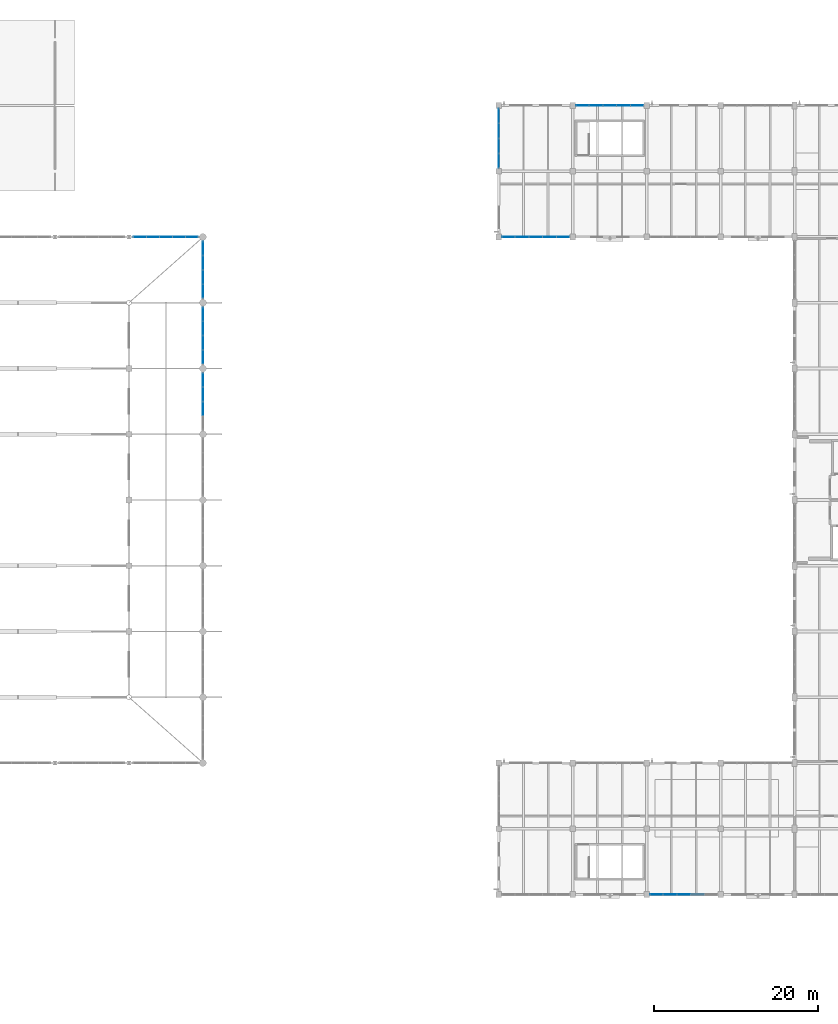
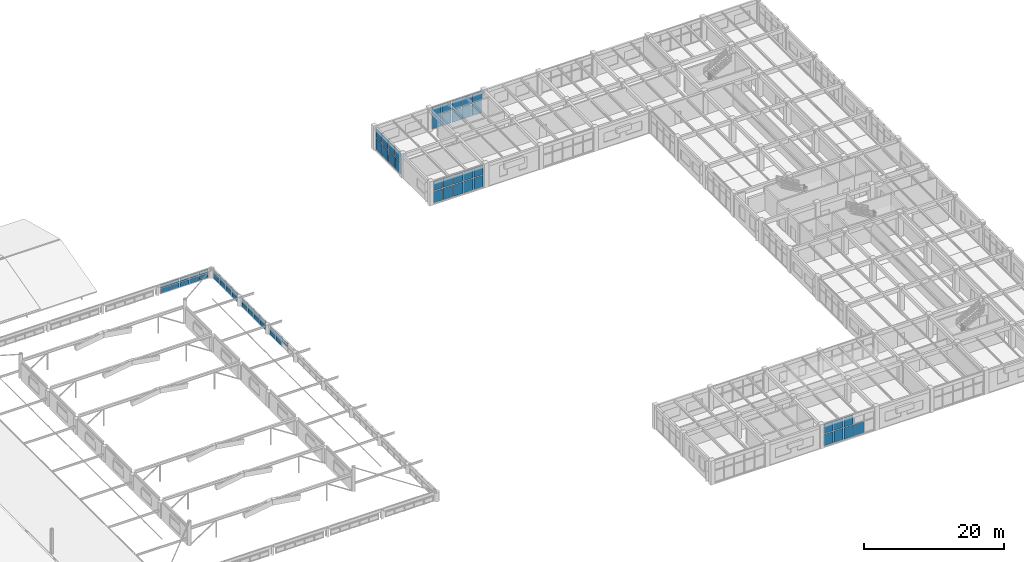
# One storey, part 104 of 128: 66 plates, 8 elements without a shape of their own.
"""IFC4 building model written with IfcOpenShell, lengths in metres."""

from ifc_helpers import new_model, si_unit, derived_unit, direction, frame, origin, origin_2d, place, context, subcontext, project, spatial, rectangle, extrude, material, layer, layer_set, type_object, element, aggregate, save


model = new_model("IFC4")

# Units and contexts
model_context = context("Model", 3, precision=1e-05, world=origin(), true_north=direction((0.0, 1.0)))
body_context = subcontext(model_context, "Body", "Model", "MODEL_VIEW")
ifc_project = project(units=[si_unit("LENGTHUNIT", "METRE"), si_unit("AREAUNIT", "SQUARE_METRE"), si_unit("VOLUMEUNIT", "CUBIC_METRE"), si_unit("PLANEANGLEUNIT", "RADIAN"), si_unit("MASSUNIT", "GRAM", prefix="KILO"), derived_unit("THERMALTRANSMITTANCEUNIT", [(si_unit("MASSUNIT", "GRAM", prefix="KILO"), 1), (si_unit("TIMEUNIT", "SECOND"), -3), (si_unit("THERMODYNAMICTEMPERATUREUNIT", "KELVIN"), -1)])], contexts=[model_context])

# Site, building, storey
site_placement = place(None, origin())
site = spatial("IfcSite", under=ifc_project, at=site_placement, CompositionType="ELEMENT")
building_placement = place(site_placement, origin())
building = spatial("IfcBuilding", under=site, at=building_placement, Name="Zhenchuan Archway Interchange", CompositionType="ELEMENT")
storey_placement = place(building_placement, frame((0.0, 0.0, 14.39990234375)))
storey = spatial("IfcBuildingStorey", under=building, at=storey_placement, Name="L03", CompositionType="ELEMENT", Elevation=14.39990234375)

# Curtain wall, plates
ifc_material_1 = material(Name="Anodised Aluminium", Category="aluminium")
curtain_wall_type_1 = type_object("IfcCurtainWallType", Name="CW_UNIT_2", PredefinedType="NOTDEFINED", material=ifc_material_1)
curtain_wall_1_placement = place(storey_placement, origin())
curtain_wall_1 = element("IfcCurtainWall", 1, at=curtain_wall_1_placement, inside=storey, type_object=curtain_wall_type_1, Name="Unitised curtain wall CW:L03:173", PredefinedType="NOTDEFINED")
ifc_material_2 = material(Name="Double Low-E Insulated Glazing", Category="glass")
ifc_layer_1 = layer(ifc_material_2, 0.028076171875)
ifc_layer_set_1 = layer_set([ifc_layer_1], Name="Double Low-E Insulated Glazing")
plate_type_1 = type_object("IfcPlateType", Name="CW_GLZ_1", PredefinedType="CURTAIN_PANEL", material=ifc_layer_set_1)
plate_1_placement = place(storey_placement, frame((115.835693359375, 88.0, 0.080078125), z_axis=(0.0, 0.0, 1.0), x_axis=(-1.0, 0.0, 0.0)))
plate_1 = element("IfcPlate", 2, at=plate_1_placement, type_object=plate_type_1, Name="CW:L03:173 lower glazing panel 0", PredefinedType="CURTAIN_PANEL", context=body_context, shape_type="SweptSolid", body=[
    extrude(rectangle(XDim=1.5126953125, YDim=0.028076171875, at=origin_2d()), origin(), (0.0, 0.0, 1.0), 2.01611328125),
])
plate_2_placement = place(storey_placement, frame((114.1728515625, 88.0, 0.080078125), z_axis=(0.0, 0.0, 1.0), x_axis=(-1.0, 0.0, 0.0)))
plate_2 = element("IfcPlate", 3, at=plate_2_placement, type_object=plate_type_1, Name="CW:L03:173 lower glazing panel 1", PredefinedType="CURTAIN_PANEL", context=body_context, shape_type="SweptSolid", body=[
    extrude(rectangle(XDim=1.53271484375, YDim=0.028076171875, at=origin_2d()), origin(), (0.0, 0.0, 1.0), 2.01611328125),
])
plate_3_placement = place(storey_placement, frame((112.5, 88.0, 0.080078125), z_axis=(0.0, 0.0, 1.0), x_axis=(-1.0, 0.0, 0.0)))
plate_3 = element("IfcPlate", 4, at=plate_3_placement, type_object=plate_type_1, Name="CW:L03:173 lower glazing panel 2", PredefinedType="CURTAIN_PANEL", context=body_context, shape_type="SweptSolid", body=[
    extrude(rectangle(XDim=1.53271484375, YDim=0.028076171875, at=origin_2d()), origin(), (0.0, 0.0, 1.0), 2.01611328125),
])
plate_4_placement = place(storey_placement, frame((110.8271484375, 88.0, 0.080078125), z_axis=(0.0, 0.0, 1.0), x_axis=(-1.0, 0.0, 0.0)))
plate_4 = element("IfcPlate", 5, at=plate_4_placement, type_object=plate_type_1, Name="CW:L03:173 lower glazing panel 3", PredefinedType="CURTAIN_PANEL", context=body_context, shape_type="SweptSolid", body=[
    extrude(rectangle(XDim=1.53271484375, YDim=0.028076171875, at=origin_2d()), origin(), (0.0, 0.0, 1.0), 2.01611328125),
])
plate_5_placement = place(storey_placement, frame((109.164306640625, 88.0, 0.080078125), z_axis=(0.0, 0.0, 1.0), x_axis=(-1.0, 0.0, 0.0)))
plate_5 = element("IfcPlate", 6, at=plate_5_placement, type_object=plate_type_1, Name="CW:L03:173 lower glazing panel 4", PredefinedType="CURTAIN_PANEL", context=body_context, shape_type="SweptSolid", body=[
    extrude(rectangle(XDim=1.5126953125, YDim=0.028076171875, at=origin_2d()), origin(), (0.0, 0.0, 1.0), 2.01611328125),
])

curtain_wall_type_2 = type_object("IfcCurtainWallType", Name="CW_UNIT_4", PredefinedType="NOTDEFINED", material=ifc_material_1)
curtain_wall_2_placement = place(storey_placement, origin())
curtain_wall_2 = element("IfcCurtainWall", 7, at=curtain_wall_2_placement, inside=storey, type_object=curtain_wall_type_2, Name="Unitised curtain wall CW:L03:175", PredefinedType="NOTDEFINED")
plate_6_placement = place(storey_placement, frame((118.164306640625, 104.0, 0.080078125), z_axis=(0.0, 0.0, 1.0), x_axis=(1.0, 0.0, 0.0)))
plate_6 = element("IfcPlate", 8, at=plate_6_placement, type_object=plate_type_1, Name="CW:L03:175 lower glazing panel 0", PredefinedType="CURTAIN_PANEL", context=body_context, shape_type="SweptSolid", body=[
    extrude(rectangle(XDim=1.5126953125, YDim=0.028076171875, at=origin_2d()), origin(), (0.0, 0.0, 1.0), 2.01611328125),
])
plate_7_placement = place(storey_placement, frame((119.8271484375, 104.0, 0.080078125), z_axis=(0.0, 0.0, 1.0), x_axis=(1.0, 0.0, 0.0)))
plate_7 = element("IfcPlate", 9, at=plate_7_placement, type_object=plate_type_1, Name="CW:L03:175 lower glazing panel 1", PredefinedType="CURTAIN_PANEL", context=body_context, shape_type="SweptSolid", body=[
    extrude(rectangle(XDim=1.53271484375, YDim=0.028076171875, at=origin_2d()), origin(), (0.0, 0.0, 1.0), 2.01611328125),
])
plate_8_placement = place(storey_placement, frame((121.5, 104.0, 0.080078125), z_axis=(0.0, 0.0, 1.0), x_axis=(1.0, 0.0, 0.0)))
plate_8 = element("IfcPlate", 10, at=plate_8_placement, type_object=plate_type_1, Name="CW:L03:175 lower glazing panel 2", PredefinedType="CURTAIN_PANEL", context=body_context, shape_type="SweptSolid", body=[
    extrude(rectangle(XDim=1.53271484375, YDim=0.028076171875, at=origin_2d()), origin(), (0.0, 0.0, 1.0), 2.01611328125),
])
plate_9_placement = place(storey_placement, frame((123.1728515625, 104.0, 0.080078125), z_axis=(0.0, 0.0, 1.0), x_axis=(1.0, 0.0, 0.0)))
plate_9 = element("IfcPlate", 11, at=plate_9_placement, type_object=plate_type_1, Name="CW:L03:175 lower glazing panel 3", PredefinedType="CURTAIN_PANEL", context=body_context, shape_type="SweptSolid", body=[
    extrude(rectangle(XDim=1.53271484375, YDim=0.028076171875, at=origin_2d()), origin(), (0.0, 0.0, 1.0), 2.01611328125),
])
plate_10_placement = place(storey_placement, frame((124.835693359375, 104.0, 0.080078125), z_axis=(0.0, 0.0, 1.0), x_axis=(1.0, 0.0, 0.0)))
plate_10 = element("IfcPlate", 12, at=plate_10_placement, type_object=plate_type_1, Name="CW:L03:175 lower glazing panel 4", PredefinedType="CURTAIN_PANEL", context=body_context, shape_type="SweptSolid", body=[
    extrude(rectangle(XDim=1.5126953125, YDim=0.028076171875, at=origin_2d()), origin(), (0.0, 0.0, 1.0), 2.01611328125),
])

curtain_wall_3_placement = place(storey_placement, origin())
curtain_wall_3 = element("IfcCurtainWall", 13, at=curtain_wall_3_placement, inside=storey, type_object=curtain_wall_type_1, Name="Unitised curtain wall CW:L03:185", PredefinedType="NOTDEFINED")
plate_11_placement = place(storey_placement, frame((132.1728515625, 8.0, 0.080078125), z_axis=(0.0, 0.0, 1.0), x_axis=(-1.0, 0.0, 0.0)))
plate_11 = element("IfcPlate", 14, at=plate_11_placement, type_object=plate_type_1, Name="CW:L03:185 lower glazing panel 1", PredefinedType="CURTAIN_PANEL", context=body_context, shape_type="SweptSolid", body=[
    extrude(rectangle(XDim=1.53271484375, YDim=0.028076171875, at=origin_2d()), origin(), (0.0, 0.0, 1.0), 2.01611328125),
])
plate_12_placement = place(storey_placement, frame((130.5, 8.0, 0.080078125), z_axis=(0.0, 0.0, 1.0), x_axis=(-1.0, 0.0, 0.0)))
plate_12 = element("IfcPlate", 15, at=plate_12_placement, type_object=plate_type_1, Name="CW:L03:185 lower glazing panel 2", PredefinedType="CURTAIN_PANEL", context=body_context, shape_type="SweptSolid", body=[
    extrude(rectangle(XDim=1.53271484375, YDim=0.028076171875, at=origin_2d()), origin(), (0.0, 0.0, 1.0), 2.01611328125),
])
plate_13_placement = place(storey_placement, frame((128.8271484375, 8.0, 0.080078125), z_axis=(0.0, 0.0, 1.0), x_axis=(-1.0, 0.0, 0.0)))
plate_13 = element("IfcPlate", 16, at=plate_13_placement, type_object=plate_type_1, Name="CW:L03:185 lower glazing panel 3", PredefinedType="CURTAIN_PANEL", context=body_context, shape_type="SweptSolid", body=[
    extrude(rectangle(XDim=1.53271484375, YDim=0.028076171875, at=origin_2d()), origin(), (0.0, 0.0, 1.0), 2.01611328125),
])
plate_14_placement = place(storey_placement, frame((127.164306640625, 8.0, 0.080078125), z_axis=(0.0, 0.0, 1.0), x_axis=(-1.0, 0.0, 0.0)))
plate_14 = element("IfcPlate", 17, at=plate_14_placement, type_object=plate_type_1, Name="CW:L03:185 lower glazing panel 4", PredefinedType="CURTAIN_PANEL", context=body_context, shape_type="SweptSolid", body=[
    extrude(rectangle(XDim=1.5126953125, YDim=0.028076171875, at=origin_2d()), origin(), (0.0, 0.0, 1.0), 2.01611328125),
])

# Curtain wall, plate
curtain_wall_type_3 = type_object("IfcCurtainWallType", Name="CW_UNIT_3", PredefinedType="NOTDEFINED", material=ifc_material_1)
curtain_wall_4_placement = place(storey_placement, origin())
curtain_wall_4 = element("IfcCurtainWall", 18, at=curtain_wall_4_placement, inside=storey, type_object=curtain_wall_type_3, Name="Unitised curtain wall CW:L03:RING-E6", PredefinedType="NOTDEFINED")
plate_15_placement = place(storey_placement, frame((72.0, 70.60009765625, 0.10009765625), z_axis=(0.0, 0.0, 1.0), x_axis=(0.0, 1.0, 0.0)))
plate_15 = element("IfcPlate", 19, at=plate_15_placement, type_object=plate_type_1, Name="CW:L03:RING-E6 lower glazing panel 3", PredefinedType="CURTAIN_PANEL", context=body_context, shape_type="SweptSolid", body=[
    extrude(rectangle(XDim=1.580078125, YDim=0.028076171875, at=origin_2d()), origin(), (0.0, 0.0, 1.0), 0.77294921875),
])

# Curtain wall, plates
curtain_wall_5_placement = place(storey_placement, origin())
curtain_wall_5 = element("IfcCurtainWall", 20, at=curtain_wall_5_placement, inside=storey, type_object=curtain_wall_type_3, Name="Unitised curtain wall CW:L03:RING-E7", PredefinedType="NOTDEFINED")
plate_16_placement = place(storey_placement, frame((72.0, 73.39990234375, 0.10009765625), z_axis=(0.0, 0.0, 1.0), x_axis=(0.0, 1.0, 0.0)))
plate_16 = element("IfcPlate", 21, at=plate_16_placement, type_object=plate_type_1, Name="CW:L03:RING-E7 lower glazing panel 0", PredefinedType="CURTAIN_PANEL", context=body_context, shape_type="SweptSolid", body=[
    extrude(rectangle(XDim=1.580078125, YDim=0.028076171875, at=origin_2d()), origin(), (0.0, 0.0, 1.0), 0.77294921875),
])
plate_17_placement = place(storey_placement, frame((72.0, 78.60009765625, 0.10009765625), z_axis=(0.0, 0.0, 1.0), x_axis=(0.0, 1.0, 0.0)))
plate_17 = element("IfcPlate", 22, at=plate_17_placement, type_object=plate_type_1, Name="CW:L03:RING-E7 lower glazing panel 3", PredefinedType="CURTAIN_PANEL", context=body_context, shape_type="SweptSolid", body=[
    extrude(rectangle(XDim=1.580078125, YDim=0.028076171875, at=origin_2d()), origin(), (0.0, 0.0, 1.0), 0.77294921875),
])

curtain_wall_6_placement = place(storey_placement, origin())
curtain_wall_6 = element("IfcCurtainWall", 23, at=curtain_wall_6_placement, inside=storey, type_object=curtain_wall_type_3, Name="Unitised curtain wall CW:L03:RING-E8", PredefinedType="NOTDEFINED")
plate_18_placement = place(storey_placement, frame((72.0, 81.39990234375, 0.10009765625), z_axis=(0.0, 0.0, 1.0), x_axis=(0.0, 1.0, 0.0)))
plate_18 = element("IfcPlate", 24, at=plate_18_placement, type_object=plate_type_1, Name="CW:L03:RING-E8 lower glazing panel 0", PredefinedType="CURTAIN_PANEL", context=body_context, shape_type="SweptSolid", body=[
    extrude(rectangle(XDim=1.580078125, YDim=0.028076171875, at=origin_2d()), origin(), (0.0, 0.0, 1.0), 0.77294921875),
])
plate_19_placement = place(storey_placement, frame((72.0, 86.60009765625, 0.10009765625), z_axis=(0.0, 0.0, 1.0), x_axis=(0.0, 1.0, 0.0)))
plate_19 = element("IfcPlate", 25, at=plate_19_placement, type_object=plate_type_1, Name="CW:L03:RING-E8 lower glazing panel 3", PredefinedType="CURTAIN_PANEL", context=body_context, shape_type="SweptSolid", body=[
    extrude(rectangle(XDim=1.580078125, YDim=0.028076171875, at=origin_2d()), origin(), (0.0, 0.0, 1.0), 0.77294921875),
])

curtain_wall_7_placement = place(storey_placement, origin())
curtain_wall_7 = element("IfcCurtainWall", 26, at=curtain_wall_7_placement, inside=storey, type_object=curtain_wall_type_2, Name="Unitised curtain wall CW:L03:RING-N5", PredefinedType="NOTDEFINED")
plate_20_placement = place(storey_placement, frame((64.325927734375, 88.0, 0.10009765625), z_axis=(0.0, 0.0, 1.0), x_axis=(1.0, 0.0, 0.0)))
plate_20 = element("IfcPlate", 27, at=plate_20_placement, type_object=plate_type_1, Name="CW:L03:RING-N5 lower glazing panel 0", PredefinedType="CURTAIN_PANEL", context=body_context, shape_type="SweptSolid", body=[
    extrude(rectangle(XDim=1.431884765625, YDim=0.028076171875, at=origin_2d()), origin(), (0.0, 0.0, 1.0), 0.77294921875),
])
plate_21_placement = place(storey_placement, frame((65.907958984375, 88.0, 0.10009765625), z_axis=(0.0, 0.0, 1.0), x_axis=(1.0, 0.0, 0.0)))
plate_21 = element("IfcPlate", 28, at=plate_21_placement, type_object=plate_type_1, Name="CW:L03:RING-N5 lower glazing panel 1", PredefinedType="CURTAIN_PANEL", context=body_context, shape_type="SweptSolid", body=[
    extrude(rectangle(XDim=1.451904296875, YDim=0.028076171875, at=origin_2d()), origin(), (0.0, 0.0, 1.0), 0.77294921875),
])
plate_22_placement = place(storey_placement, frame((67.5, 88.0, 0.10009765625), z_axis=(0.0, 0.0, 1.0), x_axis=(1.0, 0.0, 0.0)))
plate_22 = element("IfcPlate", 29, at=plate_22_placement, type_object=plate_type_1, Name="CW:L03:RING-N5 lower glazing panel 2", PredefinedType="CURTAIN_PANEL", context=body_context, shape_type="SweptSolid", body=[
    extrude(rectangle(XDim=1.451904296875, YDim=0.028076171875, at=origin_2d()), origin(), (0.0, 0.0, 1.0), 0.77294921875),
])
plate_23_placement = place(storey_placement, frame((69.092041015625, 88.0, 0.10009765625), z_axis=(0.0, 0.0, 1.0), x_axis=(1.0, 0.0, 0.0)))
plate_23 = element("IfcPlate", 30, at=plate_23_placement, type_object=plate_type_1, Name="CW:L03:RING-N5 lower glazing panel 3", PredefinedType="CURTAIN_PANEL", context=body_context, shape_type="SweptSolid", body=[
    extrude(rectangle(XDim=1.451904296875, YDim=0.028076171875, at=origin_2d()), origin(), (0.0, 0.0, 1.0), 0.77294921875),
])
plate_24_placement = place(storey_placement, frame((70.674072265625, 88.0, 0.10009765625), z_axis=(0.0, 0.0, 1.0), x_axis=(1.0, 0.0, 0.0)))
plate_24 = element("IfcPlate", 31, at=plate_24_placement, type_object=plate_type_1, Name="CW:L03:RING-N5 lower glazing panel 4", PredefinedType="CURTAIN_PANEL", context=body_context, shape_type="SweptSolid", body=[
    extrude(rectangle(XDim=1.431884765625, YDim=0.028076171875, at=origin_2d()), origin(), (0.0, 0.0, 1.0), 0.77294921875),
])

# Plate
ifc_layer_2 = layer(ifc_material_2, 0.02587890625)
ifc_layer_set_2 = layer_set([ifc_layer_2], Name="Double Low-E Insulated Glazing")
plate_type_2 = type_object("IfcPlateType", Name="CW_GLZ_2", PredefinedType="CURTAIN_PANEL", material=ifc_layer_set_2)
plate_25_placement = place(storey_placement, frame((115.835693359375, 88.0, 2.216064453125), z_axis=(0.0, 0.0, 1.0), x_axis=(-1.0, 0.0, 0.0)))
plate_25 = element("IfcPlate", 32, at=plate_25_placement, type_object=plate_type_2, Name="CW:L03:173 upper glazing panel 0", PredefinedType="CURTAIN_PANEL", context=body_context, shape_type="SweptSolid", body=[
    extrude(rectangle(XDim=1.5126953125, YDim=0.02587890625, at=origin_2d()), origin(), (0.0, 0.0, 1.0), 1.6240234375),
])

plate_26_placement = place(storey_placement, frame((114.1728515625, 88.0, 2.216064453125), z_axis=(0.0, 0.0, 1.0), x_axis=(-1.0, 0.0, 0.0)))
plate_26 = element("IfcPlate", 33, at=plate_26_placement, type_object=plate_type_2, Name="CW:L03:173 upper glazing panel 1", PredefinedType="CURTAIN_PANEL", context=body_context, shape_type="SweptSolid", body=[
    extrude(rectangle(XDim=1.53271484375, YDim=0.02587890625, at=origin_2d()), origin(), (0.0, 0.0, 1.0), 1.6240234375),
])

plate_27_placement = place(storey_placement, frame((112.5, 88.0, 2.216064453125), z_axis=(0.0, 0.0, 1.0), x_axis=(-1.0, 0.0, 0.0)))
plate_27 = element("IfcPlate", 34, at=plate_27_placement, type_object=plate_type_2, Name="CW:L03:173 upper glazing panel 2", PredefinedType="CURTAIN_PANEL", context=body_context, shape_type="SweptSolid", body=[
    extrude(rectangle(XDim=1.53271484375, YDim=0.02587890625, at=origin_2d()), origin(), (0.0, 0.0, 1.0), 1.6240234375),
])

plate_28_placement = place(storey_placement, frame((110.8271484375, 88.0, 2.216064453125), z_axis=(0.0, 0.0, 1.0), x_axis=(-1.0, 0.0, 0.0)))
plate_28 = element("IfcPlate", 35, at=plate_28_placement, type_object=plate_type_2, Name="CW:L03:173 upper glazing panel 3", PredefinedType="CURTAIN_PANEL", context=body_context, shape_type="SweptSolid", body=[
    extrude(rectangle(XDim=1.53271484375, YDim=0.02587890625, at=origin_2d()), origin(), (0.0, 0.0, 1.0), 1.6240234375),
])

plate_29_placement = place(storey_placement, frame((109.164306640625, 88.0, 2.216064453125), z_axis=(0.0, 0.0, 1.0), x_axis=(-1.0, 0.0, 0.0)))
plate_29 = element("IfcPlate", 36, at=plate_29_placement, type_object=plate_type_2, Name="CW:L03:173 upper glazing panel 4", PredefinedType="CURTAIN_PANEL", context=body_context, shape_type="SweptSolid", body=[
    extrude(rectangle(XDim=1.5126953125, YDim=0.02587890625, at=origin_2d()), origin(), (0.0, 0.0, 1.0), 1.6240234375),
])

aggregate(curtain_wall_1, [plate_1, plate_25, plate_2, plate_26, plate_3, plate_27, plate_4, plate_28, plate_5, plate_29])

plate_30_placement = place(storey_placement, frame((118.164306640625, 104.0, 2.216064453125), z_axis=(0.0, 0.0, 1.0), x_axis=(1.0, 0.0, 0.0)))
plate_30 = element("IfcPlate", 37, at=plate_30_placement, type_object=plate_type_2, Name="CW:L03:175 upper glazing panel 0", PredefinedType="CURTAIN_PANEL", context=body_context, shape_type="SweptSolid", body=[
    extrude(rectangle(XDim=1.5126953125, YDim=0.02587890625, at=origin_2d()), origin(), (0.0, 0.0, 1.0), 1.6240234375),
])

plate_31_placement = place(storey_placement, frame((119.8271484375, 104.0, 2.216064453125), z_axis=(0.0, 0.0, 1.0), x_axis=(1.0, 0.0, 0.0)))
plate_31 = element("IfcPlate", 38, at=plate_31_placement, type_object=plate_type_2, Name="CW:L03:175 upper glazing panel 1", PredefinedType="CURTAIN_PANEL", context=body_context, shape_type="SweptSolid", body=[
    extrude(rectangle(XDim=1.53271484375, YDim=0.02587890625, at=origin_2d()), origin(), (0.0, 0.0, 1.0), 1.6240234375),
])

plate_32_placement = place(storey_placement, frame((121.5, 104.0, 2.216064453125), z_axis=(0.0, 0.0, 1.0), x_axis=(1.0, 0.0, 0.0)))
plate_32 = element("IfcPlate", 39, at=plate_32_placement, type_object=plate_type_2, Name="CW:L03:175 upper glazing panel 2", PredefinedType="CURTAIN_PANEL", context=body_context, shape_type="SweptSolid", body=[
    extrude(rectangle(XDim=1.53271484375, YDim=0.02587890625, at=origin_2d()), origin(), (0.0, 0.0, 1.0), 1.6240234375),
])

plate_33_placement = place(storey_placement, frame((123.1728515625, 104.0, 2.216064453125), z_axis=(0.0, 0.0, 1.0), x_axis=(1.0, 0.0, 0.0)))
plate_33 = element("IfcPlate", 40, at=plate_33_placement, type_object=plate_type_2, Name="CW:L03:175 upper glazing panel 3", PredefinedType="CURTAIN_PANEL", context=body_context, shape_type="SweptSolid", body=[
    extrude(rectangle(XDim=1.53271484375, YDim=0.02587890625, at=origin_2d()), origin(), (0.0, 0.0, 1.0), 1.6240234375),
])

plate_34_placement = place(storey_placement, frame((124.835693359375, 104.0, 2.216064453125), z_axis=(0.0, 0.0, 1.0), x_axis=(1.0, 0.0, 0.0)))
plate_34 = element("IfcPlate", 41, at=plate_34_placement, type_object=plate_type_2, Name="CW:L03:175 upper glazing panel 4", PredefinedType="CURTAIN_PANEL", context=body_context, shape_type="SweptSolid", body=[
    extrude(rectangle(XDim=1.5126953125, YDim=0.02587890625, at=origin_2d()), origin(), (0.0, 0.0, 1.0), 1.6240234375),
])

aggregate(curtain_wall_2, [plate_6, plate_30, plate_7, plate_31, plate_8, plate_32, plate_9, plate_33, plate_10, plate_34])

plate_35_placement = place(storey_placement, frame((130.5, 8.0, 2.216064453125), z_axis=(0.0, 0.0, 1.0), x_axis=(-1.0, 0.0, 0.0)))
plate_35 = element("IfcPlate", 42, at=plate_35_placement, type_object=plate_type_2, Name="CW:L03:185 upper glazing panel 2", PredefinedType="CURTAIN_PANEL", context=body_context, shape_type="SweptSolid", body=[
    extrude(rectangle(XDim=1.53271484375, YDim=0.02587890625, at=origin_2d()), origin(), (0.0, 0.0, 1.0), 1.6240234375),
])

plate_36_placement = place(storey_placement, frame((128.8271484375, 8.0, 2.216064453125), z_axis=(0.0, 0.0, 1.0), x_axis=(-1.0, 0.0, 0.0)))
plate_36 = element("IfcPlate", 43, at=plate_36_placement, type_object=plate_type_2, Name="CW:L03:185 upper glazing panel 3", PredefinedType="CURTAIN_PANEL", context=body_context, shape_type="SweptSolid", body=[
    extrude(rectangle(XDim=1.53271484375, YDim=0.02587890625, at=origin_2d()), origin(), (0.0, 0.0, 1.0), 1.6240234375),
])

plate_37_placement = place(storey_placement, frame((127.164306640625, 8.0, 2.216064453125), z_axis=(0.0, 0.0, 1.0), x_axis=(-1.0, 0.0, 0.0)))
plate_37 = element("IfcPlate", 44, at=plate_37_placement, type_object=plate_type_2, Name="CW:L03:185 upper glazing panel 4", PredefinedType="CURTAIN_PANEL", context=body_context, shape_type="SweptSolid", body=[
    extrude(rectangle(XDim=1.5126953125, YDim=0.02587890625, at=origin_2d()), origin(), (0.0, 0.0, 1.0), 1.6240234375),
])

aggregate(curtain_wall_3, [plate_11, plate_12, plate_35, plate_13, plate_36, plate_14, plate_37])

plate_38_placement = place(storey_placement, frame((72.0, 70.60009765625, 0.9931640625), z_axis=(0.0, 0.0, 1.0), x_axis=(0.0, 1.0, 0.0)))
plate_38 = element("IfcPlate", 45, at=plate_38_placement, type_object=plate_type_2, Name="CW:L03:RING-E6 upper glazing panel 3", PredefinedType="CURTAIN_PANEL", context=body_context, shape_type="SweptSolid", body=[
    extrude(rectangle(XDim=1.580078125, YDim=0.02587890625, at=origin_2d()), origin(), (0.0, 0.0, 1.0), 0.60693359375),
])

plate_39_placement = place(storey_placement, frame((72.0, 73.39990234375, 0.9931640625), z_axis=(0.0, 0.0, 1.0), x_axis=(0.0, 1.0, 0.0)))
plate_39 = element("IfcPlate", 46, at=plate_39_placement, type_object=plate_type_2, Name="CW:L03:RING-E7 upper glazing panel 0", PredefinedType="CURTAIN_PANEL", context=body_context, shape_type="SweptSolid", body=[
    extrude(rectangle(XDim=1.580078125, YDim=0.02587890625, at=origin_2d()), origin(), (0.0, 0.0, 1.0), 0.60693359375),
])

plate_40_placement = place(storey_placement, frame((72.0, 78.60009765625, 0.9931640625), z_axis=(0.0, 0.0, 1.0), x_axis=(0.0, 1.0, 0.0)))
plate_40 = element("IfcPlate", 47, at=plate_40_placement, type_object=plate_type_2, Name="CW:L03:RING-E7 upper glazing panel 3", PredefinedType="CURTAIN_PANEL", context=body_context, shape_type="SweptSolid", body=[
    extrude(rectangle(XDim=1.580078125, YDim=0.02587890625, at=origin_2d()), origin(), (0.0, 0.0, 1.0), 0.60693359375),
])

plate_41_placement = place(storey_placement, frame((72.0, 81.39990234375, 0.9931640625), z_axis=(0.0, 0.0, 1.0), x_axis=(0.0, 1.0, 0.0)))
plate_41 = element("IfcPlate", 48, at=plate_41_placement, type_object=plate_type_2, Name="CW:L03:RING-E8 upper glazing panel 0", PredefinedType="CURTAIN_PANEL", context=body_context, shape_type="SweptSolid", body=[
    extrude(rectangle(XDim=1.580078125, YDim=0.02587890625, at=origin_2d()), origin(), (0.0, 0.0, 1.0), 0.60693359375),
])

plate_42_placement = place(storey_placement, frame((72.0, 86.60009765625, 0.9931640625), z_axis=(0.0, 0.0, 1.0), x_axis=(0.0, 1.0, 0.0)))
plate_42 = element("IfcPlate", 49, at=plate_42_placement, type_object=plate_type_2, Name="CW:L03:RING-E8 upper glazing panel 3", PredefinedType="CURTAIN_PANEL", context=body_context, shape_type="SweptSolid", body=[
    extrude(rectangle(XDim=1.580078125, YDim=0.02587890625, at=origin_2d()), origin(), (0.0, 0.0, 1.0), 0.60693359375),
])

plate_43_placement = place(storey_placement, frame((64.325927734375, 88.0, 0.9931640625), z_axis=(0.0, 0.0, 1.0), x_axis=(1.0, 0.0, 0.0)))
plate_43 = element("IfcPlate", 50, at=plate_43_placement, type_object=plate_type_2, Name="CW:L03:RING-N5 upper glazing panel 0", PredefinedType="CURTAIN_PANEL", context=body_context, shape_type="SweptSolid", body=[
    extrude(rectangle(XDim=1.431884765625, YDim=0.02587890625, at=origin_2d()), origin(), (0.0, 0.0, 1.0), 0.60693359375),
])

plate_44_placement = place(storey_placement, frame((65.907958984375, 88.0, 0.9931640625), z_axis=(0.0, 0.0, 1.0), x_axis=(1.0, 0.0, 0.0)))
plate_44 = element("IfcPlate", 51, at=plate_44_placement, type_object=plate_type_2, Name="CW:L03:RING-N5 upper glazing panel 1", PredefinedType="CURTAIN_PANEL", context=body_context, shape_type="SweptSolid", body=[
    extrude(rectangle(XDim=1.451904296875, YDim=0.02587890625, at=origin_2d()), origin(), (0.0, 0.0, 1.0), 0.60693359375),
])

plate_45_placement = place(storey_placement, frame((67.5, 88.0, 0.9931640625), z_axis=(0.0, 0.0, 1.0), x_axis=(1.0, 0.0, 0.0)))
plate_45 = element("IfcPlate", 52, at=plate_45_placement, type_object=plate_type_2, Name="CW:L03:RING-N5 upper glazing panel 2", PredefinedType="CURTAIN_PANEL", context=body_context, shape_type="SweptSolid", body=[
    extrude(rectangle(XDim=1.451904296875, YDim=0.02587890625, at=origin_2d()), origin(), (0.0, 0.0, 1.0), 0.60693359375),
])

plate_46_placement = place(storey_placement, frame((69.092041015625, 88.0, 0.9931640625), z_axis=(0.0, 0.0, 1.0), x_axis=(1.0, 0.0, 0.0)))
plate_46 = element("IfcPlate", 53, at=plate_46_placement, type_object=plate_type_2, Name="CW:L03:RING-N5 upper glazing panel 3", PredefinedType="CURTAIN_PANEL", context=body_context, shape_type="SweptSolid", body=[
    extrude(rectangle(XDim=1.451904296875, YDim=0.02587890625, at=origin_2d()), origin(), (0.0, 0.0, 1.0), 0.60693359375),
])

plate_47_placement = place(storey_placement, frame((70.674072265625, 88.0, 0.9931640625), z_axis=(0.0, 0.0, 1.0), x_axis=(1.0, 0.0, 0.0)))
plate_47 = element("IfcPlate", 54, at=plate_47_placement, type_object=plate_type_2, Name="CW:L03:RING-N5 upper glazing panel 4", PredefinedType="CURTAIN_PANEL", context=body_context, shape_type="SweptSolid", body=[
    extrude(rectangle(XDim=1.431884765625, YDim=0.02587890625, at=origin_2d()), origin(), (0.0, 0.0, 1.0), 0.60693359375),
])

aggregate(curtain_wall_7, [plate_20, plate_43, plate_21, plate_44, plate_22, plate_45, plate_23, plate_46, plate_24, plate_47])

# Curtain wall, plates
curtain_wall_8_placement = place(storey_placement, origin())
curtain_wall_8 = element("IfcCurtainWall", 55, at=curtain_wall_8_placement, inside=storey, type_object=curtain_wall_type_3, Name="Unitised curtain wall CW:L03:174", PredefinedType="NOTDEFINED")
ifc_layer_3 = layer(ifc_material_2, 0.030029296875)
ifc_layer_set_3 = layer_set([ifc_layer_3], Name="Double Low-E Insulated Glazing")
plate_type_3 = type_object("IfcPlateType", Name="CW_GLZ_3", PredefinedType="CURTAIN_PANEL", material=ifc_layer_set_3)
plate_48_placement = place(storey_placement, frame((108.0, 97.24853515625, 0.080078125), z_axis=(0.0, 0.0, 1.0), x_axis=(0.0, 1.0, 0.0)))
plate_48 = element("IfcPlate", 56, at=plate_48_placement, type_object=plate_type_3, Name="CW:L03:174 lower glazing panel 0", PredefinedType="CURTAIN_PANEL", context=body_context, shape_type="SweptSolid", body=[
    extrude(rectangle(XDim=1.680908203125, YDim=0.028076171875, at=origin_2d()), origin(), (0.0, 0.0, 1.0), 2.01611328125),
])
plate_49_placement = place(storey_placement, frame((108.0, 99.07958984375, 0.080078125), z_axis=(0.0, 0.0, 1.0), x_axis=(0.0, 1.0, 0.0)))
plate_49 = element("IfcPlate", 57, at=plate_49_placement, type_object=plate_type_3, Name="CW:L03:174 lower glazing panel 1", PredefinedType="CURTAIN_PANEL", context=body_context, shape_type="SweptSolid", body=[
    extrude(rectangle(XDim=1.700927734375, YDim=0.028076171875, at=origin_2d()), origin(), (0.0, 0.0, 1.0), 2.01611328125),
])
plate_50_placement = place(storey_placement, frame((108.0, 100.92041015625, 0.080078125), z_axis=(0.0, 0.0, 1.0), x_axis=(0.0, 1.0, 0.0)))
plate_50 = element("IfcPlate", 58, at=plate_50_placement, type_object=plate_type_3, Name="CW:L03:174 lower glazing panel 2", PredefinedType="CURTAIN_PANEL", context=body_context, shape_type="SweptSolid", body=[
    extrude(rectangle(XDim=1.700927734375, YDim=0.028076171875, at=origin_2d()), origin(), (0.0, 0.0, 1.0), 2.01611328125),
])
plate_51_placement = place(storey_placement, frame((108.0, 102.75146484375, 0.080078125), z_axis=(0.0, 0.0, 1.0), x_axis=(0.0, 1.0, 0.0)))
plate_51 = element("IfcPlate", 59, at=plate_51_placement, type_object=plate_type_3, Name="CW:L03:174 lower glazing panel 3", PredefinedType="CURTAIN_PANEL", context=body_context, shape_type="SweptSolid", body=[
    extrude(rectangle(XDim=1.680908203125, YDim=0.028076171875, at=origin_2d()), origin(), (0.0, 0.0, 1.0), 2.01611328125),
])

# Plate
plate_52_placement = place(storey_placement, frame((72.0, 68.8701171875, 0.10009765625), z_axis=(0.0, 0.0, 1.0), x_axis=(0.0, 1.0, 0.0)))
plate_52 = element("IfcPlate", 60, at=plate_52_placement, type_object=plate_type_3, Name="CW:L03:RING-E6 lower glazing panel 2", PredefinedType="CURTAIN_PANEL", context=body_context, shape_type="SweptSolid", body=[
    extrude(rectangle(XDim=1.60009765625, YDim=0.028076171875, at=origin_2d()), origin(), (0.0, 0.0, 1.0), 0.77294921875),
])

plate_53_placement = place(storey_placement, frame((72.0, 75.1298828125, 0.10009765625), z_axis=(0.0, 0.0, 1.0), x_axis=(0.0, 1.0, 0.0)))
plate_53 = element("IfcPlate", 61, at=plate_53_placement, type_object=plate_type_3, Name="CW:L03:RING-E7 lower glazing panel 1", PredefinedType="CURTAIN_PANEL", context=body_context, shape_type="SweptSolid", body=[
    extrude(rectangle(XDim=1.60009765625, YDim=0.028076171875, at=origin_2d()), origin(), (0.0, 0.0, 1.0), 0.77294921875),
])

plate_54_placement = place(storey_placement, frame((72.0, 76.8701171875, 0.10009765625), z_axis=(0.0, 0.0, 1.0), x_axis=(0.0, 1.0, 0.0)))
plate_54 = element("IfcPlate", 62, at=plate_54_placement, type_object=plate_type_3, Name="CW:L03:RING-E7 lower glazing panel 2", PredefinedType="CURTAIN_PANEL", context=body_context, shape_type="SweptSolid", body=[
    extrude(rectangle(XDim=1.60009765625, YDim=0.028076171875, at=origin_2d()), origin(), (0.0, 0.0, 1.0), 0.77294921875),
])

plate_55_placement = place(storey_placement, frame((72.0, 83.1298828125, 0.10009765625), z_axis=(0.0, 0.0, 1.0), x_axis=(0.0, 1.0, 0.0)))
plate_55 = element("IfcPlate", 63, at=plate_55_placement, type_object=plate_type_3, Name="CW:L03:RING-E8 lower glazing panel 1", PredefinedType="CURTAIN_PANEL", context=body_context, shape_type="SweptSolid", body=[
    extrude(rectangle(XDim=1.60009765625, YDim=0.028076171875, at=origin_2d()), origin(), (0.0, 0.0, 1.0), 0.77294921875),
])

plate_56_placement = place(storey_placement, frame((72.0, 84.8701171875, 0.10009765625), z_axis=(0.0, 0.0, 1.0), x_axis=(0.0, 1.0, 0.0)))
plate_56 = element("IfcPlate", 64, at=plate_56_placement, type_object=plate_type_3, Name="CW:L03:RING-E8 lower glazing panel 2", PredefinedType="CURTAIN_PANEL", context=body_context, shape_type="SweptSolid", body=[
    extrude(rectangle(XDim=1.60009765625, YDim=0.028076171875, at=origin_2d()), origin(), (0.0, 0.0, 1.0), 0.77294921875),
])

ifc_layer_4 = layer(ifc_material_2, 0.02392578125)
ifc_layer_set_4 = layer_set([ifc_layer_4], Name="Double Low-E Insulated Glazing")
plate_type_4 = type_object("IfcPlateType", Name="CW_GLZ_4", PredefinedType="CURTAIN_PANEL", material=ifc_layer_set_4)
plate_57_placement = place(storey_placement, frame((108.0, 97.24853515625, 2.216064453125), z_axis=(0.0, 0.0, 1.0), x_axis=(0.0, 1.0, 0.0)))
plate_57 = element("IfcPlate", 65, at=plate_57_placement, type_object=plate_type_4, Name="CW:L03:174 upper glazing panel 0", PredefinedType="CURTAIN_PANEL", context=body_context, shape_type="SweptSolid", body=[
    extrude(rectangle(XDim=1.680908203125, YDim=0.02587890625, at=origin_2d()), origin(), (0.0, 0.0, 1.0), 1.6240234375),
])

plate_58_placement = place(storey_placement, frame((108.0, 99.07958984375, 2.216064453125), z_axis=(0.0, 0.0, 1.0), x_axis=(0.0, 1.0, 0.0)))
plate_58 = element("IfcPlate", 66, at=plate_58_placement, type_object=plate_type_4, Name="CW:L03:174 upper glazing panel 1", PredefinedType="CURTAIN_PANEL", context=body_context, shape_type="SweptSolid", body=[
    extrude(rectangle(XDim=1.700927734375, YDim=0.02587890625, at=origin_2d()), origin(), (0.0, 0.0, 1.0), 1.6240234375),
])

plate_59_placement = place(storey_placement, frame((108.0, 100.92041015625, 2.216064453125), z_axis=(0.0, 0.0, 1.0), x_axis=(0.0, 1.0, 0.0)))
plate_59 = element("IfcPlate", 67, at=plate_59_placement, type_object=plate_type_4, Name="CW:L03:174 upper glazing panel 2", PredefinedType="CURTAIN_PANEL", context=body_context, shape_type="SweptSolid", body=[
    extrude(rectangle(XDim=1.700927734375, YDim=0.02587890625, at=origin_2d()), origin(), (0.0, 0.0, 1.0), 1.6240234375),
])

plate_60_placement = place(storey_placement, frame((108.0, 102.75146484375, 2.216064453125), z_axis=(0.0, 0.0, 1.0), x_axis=(0.0, 1.0, 0.0)))
plate_60 = element("IfcPlate", 68, at=plate_60_placement, type_object=plate_type_4, Name="CW:L03:174 upper glazing panel 3", PredefinedType="CURTAIN_PANEL", context=body_context, shape_type="SweptSolid", body=[
    extrude(rectangle(XDim=1.680908203125, YDim=0.02587890625, at=origin_2d()), origin(), (0.0, 0.0, 1.0), 1.6240234375),
])

aggregate(curtain_wall_8, [plate_48, plate_57, plate_49, plate_58, plate_50, plate_59, plate_51, plate_60])

plate_61_placement = place(storey_placement, frame((72.0, 67.1298828125, 0.9931640625), z_axis=(0.0, 0.0, 1.0), x_axis=(0.0, 1.0, 0.0)))
plate_61 = element("IfcPlate", 69, at=plate_61_placement, type_object=plate_type_4, Name="CW:L03:RING-E6 upper glazing panel 1", PredefinedType="CURTAIN_PANEL", context=body_context, shape_type="SweptSolid", body=[
    extrude(rectangle(XDim=1.60009765625, YDim=0.02587890625, at=origin_2d()), origin(), (0.0, 0.0, 1.0), 0.60693359375),
])

plate_62_placement = place(storey_placement, frame((72.0, 68.8701171875, 0.9931640625), z_axis=(0.0, 0.0, 1.0), x_axis=(0.0, 1.0, 0.0)))
plate_62 = element("IfcPlate", 70, at=plate_62_placement, type_object=plate_type_4, Name="CW:L03:RING-E6 upper glazing panel 2", PredefinedType="CURTAIN_PANEL", context=body_context, shape_type="SweptSolid", body=[
    extrude(rectangle(XDim=1.60009765625, YDim=0.02587890625, at=origin_2d()), origin(), (0.0, 0.0, 1.0), 0.60693359375),
])

aggregate(curtain_wall_4, [plate_61, plate_52, plate_62, plate_15, plate_38])

plate_63_placement = place(storey_placement, frame((72.0, 75.1298828125, 0.9931640625), z_axis=(0.0, 0.0, 1.0), x_axis=(0.0, 1.0, 0.0)))
plate_63 = element("IfcPlate", 71, at=plate_63_placement, type_object=plate_type_4, Name="CW:L03:RING-E7 upper glazing panel 1", PredefinedType="CURTAIN_PANEL", context=body_context, shape_type="SweptSolid", body=[
    extrude(rectangle(XDim=1.60009765625, YDim=0.02587890625, at=origin_2d()), origin(), (0.0, 0.0, 1.0), 0.60693359375),
])

plate_64_placement = place(storey_placement, frame((72.0, 76.8701171875, 0.9931640625), z_axis=(0.0, 0.0, 1.0), x_axis=(0.0, 1.0, 0.0)))
plate_64 = element("IfcPlate", 72, at=plate_64_placement, type_object=plate_type_4, Name="CW:L03:RING-E7 upper glazing panel 2", PredefinedType="CURTAIN_PANEL", context=body_context, shape_type="SweptSolid", body=[
    extrude(rectangle(XDim=1.60009765625, YDim=0.02587890625, at=origin_2d()), origin(), (0.0, 0.0, 1.0), 0.60693359375),
])

aggregate(curtain_wall_5, [plate_16, plate_39, plate_53, plate_63, plate_54, plate_64, plate_17, plate_40])

plate_65_placement = place(storey_placement, frame((72.0, 83.1298828125, 0.9931640625), z_axis=(0.0, 0.0, 1.0), x_axis=(0.0, 1.0, 0.0)))
plate_65 = element("IfcPlate", 73, at=plate_65_placement, type_object=plate_type_4, Name="CW:L03:RING-E8 upper glazing panel 1", PredefinedType="CURTAIN_PANEL", context=body_context, shape_type="SweptSolid", body=[
    extrude(rectangle(XDim=1.60009765625, YDim=0.02587890625, at=origin_2d()), origin(), (0.0, 0.0, 1.0), 0.60693359375),
])

plate_66_placement = place(storey_placement, frame((72.0, 84.8701171875, 0.9931640625), z_axis=(0.0, 0.0, 1.0), x_axis=(0.0, 1.0, 0.0)))
plate_66 = element("IfcPlate", 74, at=plate_66_placement, type_object=plate_type_4, Name="CW:L03:RING-E8 upper glazing panel 2", PredefinedType="CURTAIN_PANEL", context=body_context, shape_type="SweptSolid", body=[
    extrude(rectangle(XDim=1.60009765625, YDim=0.02587890625, at=origin_2d()), origin(), (0.0, 0.0, 1.0), 0.60693359375),
])

aggregate(curtain_wall_6, [plate_18, plate_41, plate_55, plate_65, plate_56, plate_66, plate_19, plate_42])

save(model, "model.ifc")
